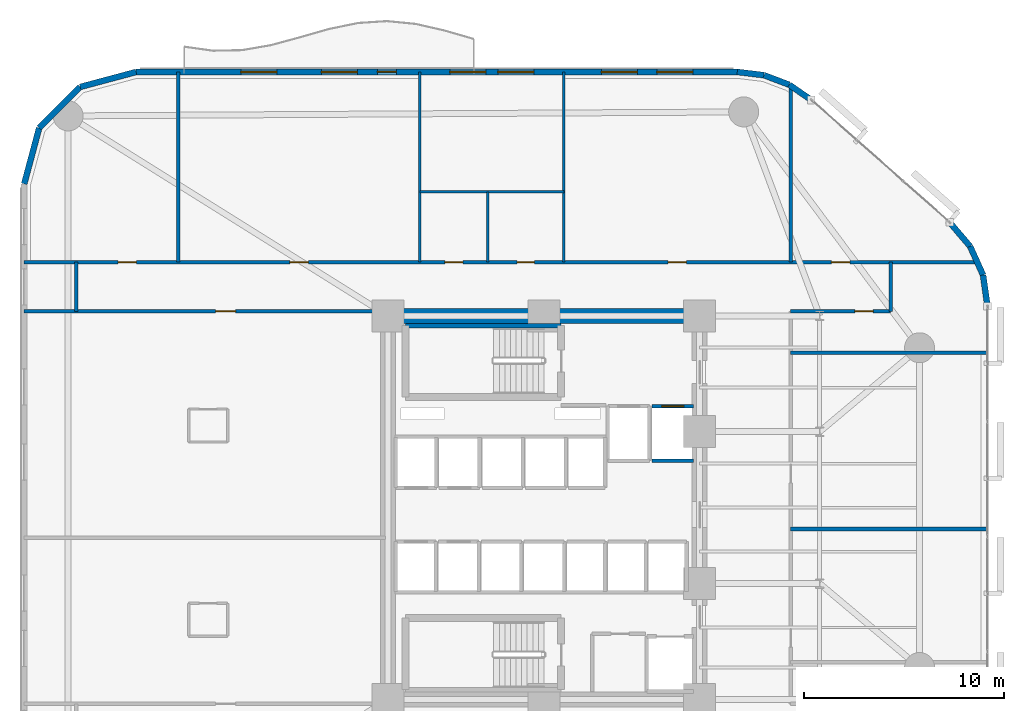
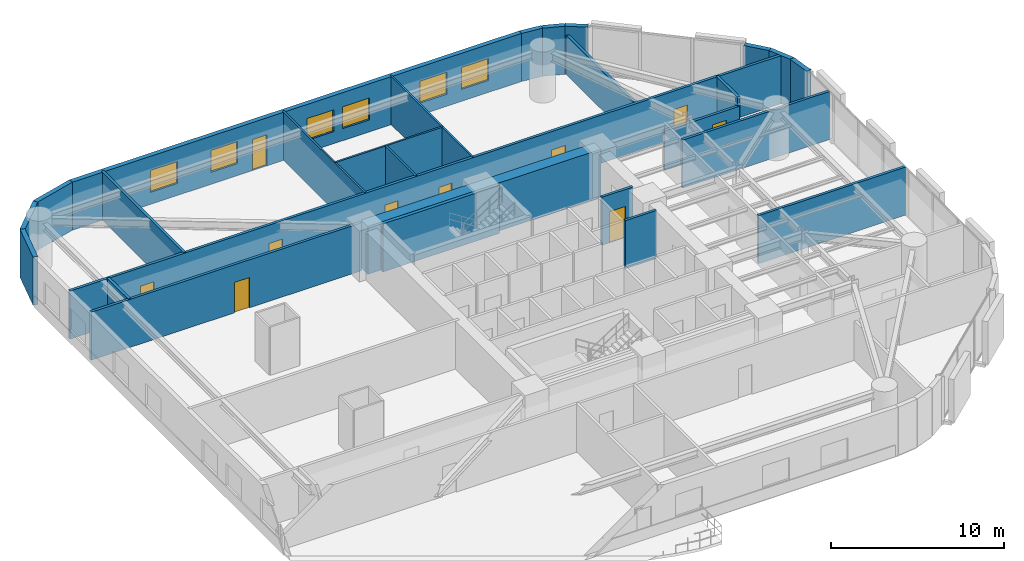
# One storey, part 12 of 16: 27 walls, 10 doors, 6 windows, 16 openings.
"""IFC4 building model written with IfcOpenShell, lengths in metres."""

from ifc_helpers import new_model, si_unit, direction, frame, frame_2d, origin, place, context, subcontext, project, spatial, rectangle, extrude, material, layer, layer_set, type_object, element, fill, save


model = new_model("IFC4")

# Units and contexts
model_context = context("Model", 3, precision=1e-05, world=origin(), true_north=direction((0.0, 1.0)))
body_context = subcontext(model_context, "Body", "Model", "MODEL_VIEW")
ifc_project = project(units=[si_unit("LENGTHUNIT", "METRE"), si_unit("AREAUNIT", "SQUARE_METRE"), si_unit("VOLUMEUNIT", "CUBIC_METRE"), si_unit("PLANEANGLEUNIT", "RADIAN"), si_unit("MASSUNIT", "GRAM", prefix="KILO")], contexts=[model_context])

# Site, building, storey
site_placement = place(None, origin())
site = spatial("IfcSite", under=ifc_project, at=site_placement, CompositionType="ELEMENT")
building_placement = place(site_placement, origin())
building = spatial("IfcBuilding", under=site, at=building_placement, Name="An Khanh Terracotta Commons", CompositionType="ELEMENT")
storey_placement = place(building_placement, frame((0.0, 0.0, 43.199951171875)))
storey = spatial("IfcBuildingStorey", under=building, at=storey_placement, Name="L11", CompositionType="ELEMENT", Elevation=43.199951171875)

# Wall
ifc_material_1 = material(Name="Concrete C70/85", Category="concrete")
ifc_layer_1 = layer(ifc_material_1, 0.75, Name="Concrete C70/85")
ifc_layer_set_1 = layer_set([ifc_layer_1], Name="Concrete C70/85")
wall_type_1 = type_object("IfcWallType", Name="WALL-CORE-750", PredefinedType="SHEAR", material=ifc_layer_set_1)
wall_1_placement = place(storey_placement, frame((21.60009765625, 33.60009765625, 0.0), z_axis=(0.0, 0.0, 1.0), x_axis=(1.0, 0.0, 0.0)))
element("IfcWall", 1, at=wall_1_placement, inside=storey, type_object=wall_type_1, Name="L11 Core Wall CWALL-L11-N", PredefinedType="SHEAR", context=body_context, shape_type="SweptSolid", body=[
    extrude(rectangle(XDim=15.599853515625, YDim=0.75, at=frame_2d((7.7998046875, 0.0))), origin(), (0.0, 0.0, 1.0), 3.400146484375),
])

# Wall, opening, door
ifc_material_2 = material(Name="Fire-Rated Gypsum Board on Steel Stud", Category="steel")
ifc_layer_2 = layer(ifc_material_2, 0.179931640625, Name="Fire-Rated Gypsum Board on Steel Stud")
ifc_layer_set_2 = layer_set([ifc_layer_2], Name="Fire-Rated Gypsum Board on Steel Stud")
wall_type_2 = type_object("IfcWallType", Name="WALL-CORR-180", PredefinedType="PARTITIONING", material=ifc_layer_set_2)
wall_2_placement = place(storey_placement, frame((34.820068359375, 29.080078125, 0.0), z_axis=(0.0, 0.0, 1.0), x_axis=(1.0, 0.0, 0.0)))
wall_2 = element("IfcWall", 2, at=wall_2_placement, inside=storey, type_object=wall_type_2, Name="L11 Core Wall LSH-L11-FFL-02-N", PredefinedType="PARTITIONING", context=body_context, shape_type="SweptSolid", body=[
    extrude(rectangle(XDim=2.079833984375, YDim=0.179931640625, at=frame_2d((1.0400390625, 0.0))), origin(), (0.0, 0.0, 1.0), 3.400146484375),
])
opening_1_placement = place(wall_2_placement, frame((0.489990234375, 0.0, 0.0)))
opening_1 = element("IfcOpeningElement", 3, at=opening_1_placement, cuts=wall_2, Name="Opening LD-FFL-02-L11", PredefinedType="OPENING", context=body_context, shape_type="SweptSolid", body=[
    extrude(rectangle(XDim=1.10009765625, YDim=2.199951171875, at=frame_2d((0.550048828125, 1.10009765625))), frame((0.0, 0.099853515625, 0.0), z_axis=(0.0, -1.0, 0.0), x_axis=(1.0, 0.0, 0.0)), (0.0, 0.0, 1.0), 0.199951171875),
])
ifc_material_3 = material(Name="Brushed Stainless Steel Fire Landing Door", Category="steel")
door_type_1 = type_object("IfcDoorType", Name="DOOR-LD-FFL-1100", OperationType="NOTDEFINED", PredefinedType="DOOR", material=ifc_material_3)
door_1_placement = place(opening_1_placement, origin())
door_1 = element("IfcDoor", 4, at=door_1_placement, inside=storey, type_object=door_type_1, Name="L11 Lift FFL-02 Sliding Landing Door", OperationType="DOUBLE_DOOR_SLIDING", OverallHeight=2.199951171875, OverallWidth=1.10009765625, PredefinedType="DOOR", context=body_context, shape_type="SweptSolid", body=[
    extrude(rectangle(XDim=1.10009765625, YDim=2.199951171875, at=frame_2d((0.550048828125, 1.10009765625))), frame((0.0, 0.02490234375, 0.0), z_axis=(0.0, -1.0, 0.0), x_axis=(1.0, 0.0, 0.0)), (0.0, 0.0, 1.0), 0.050048828125),
])
fill(opening_1, door_1)

# Walls
wall_3_placement = place(storey_placement, frame((36.89990234375, 26.35009765625, 0.0), z_axis=(0.0, 0.0, 1.0), x_axis=(-1.0, 0.0, 0.0)))
element("IfcWall", 5, at=wall_3_placement, inside=storey, type_object=wall_type_2, Name="L11 Core Wall LSH-L11-FFL-02-S", PredefinedType="PARTITIONING", context=body_context, shape_type="SweptSolid", body=[
    extrude(rectangle(XDim=2.079833984375, YDim=0.179931640625, at=frame_2d((1.0400390625, 0.0))), origin(), (0.0, 0.0, 1.0), 3.400146484375),
])
for number, where, z_axis, x_axis, name in (
    (6, (41.75, 22.931884765625, 0.0), (0.0, 0.0, 1.0), (1.0, 0.0, 0.0), "L11 Interior Partition IW-L11-E007"),
    (7, (41.75, 31.741943359375, 0.0), (0.0, 0.0, 1.0), (1.0, 0.0, 0.0), "L11 Interior Partition IW-L11-E008"),
):
    element("IfcWall", number, at=place(storey_placement, frame(where, z_axis=z_axis, x_axis=x_axis)), inside=storey, type_object=wall_type_2, Name=name, PredefinedType="PARTITIONING", context=body_context, shape_type="SweptSolid", body=[
        extrude(rectangle(XDim=9.85009765625, YDim=0.179931640625, at=frame_2d((4.925048828125, 0.0))), origin(), (0.0, 0.0, 1.0), 3.400146484375),
    ])

# Wall, opening, door
wall_4_placement = place(storey_placement, frame((3.39990234375, 33.820068359375, 0.0), z_axis=(0.0, 0.0, 1.0), x_axis=(1.0, 0.0, 0.0)))
wall_4 = element("IfcWall", 8, at=wall_4_placement, inside=storey, type_object=wall_type_2, Name="L11 Interior Partition IW-L11-E009", PredefinedType="PARTITIONING", context=body_context, shape_type="SweptSolid", body=[
    extrude(rectangle(XDim=18.080078125, YDim=0.179931640625, at=frame_2d((9.0400390625, 0.0))), origin(), (0.0, 0.0, 1.0), 3.400146484375),
])
opening_2_placement = place(wall_4_placement, frame((9.580078125, 0.0, 0.0)))
opening_2 = element("IfcOpeningElement", 9, at=opening_2_placement, cuts=wall_4, Name="Opening D-UN", PredefinedType="OPENING", context=body_context, shape_type="SweptSolid", body=[
    extrude(rectangle(XDim=1.0, YDim=2.14990234375, at=frame_2d((0.5, 1.074951171875))), frame((0.0, 0.099853515625, 0.0), z_axis=(0.0, -1.0, 0.0), x_axis=(1.0, 0.0, 0.0)), (0.0, 0.0, 1.0), 0.199951171875),
])
ifc_material_4 = material(Name="Solid-Core Hardwood Acoustic Fire Door", Category="wood")
door_type_2 = type_object("IfcDoorType", Name="DOOR-UNIT-1000", OperationType="NOTDEFINED", PredefinedType="DOOR", material=ifc_material_4)
door_2_placement = place(opening_2_placement, origin())
door_2 = element("IfcDoor", 10, at=door_2_placement, inside=storey, type_object=door_type_2, Name="L11 WW2 Kitchenette and Studio Apartment Door", OperationType="SINGLE_SWING_RIGHT", OverallHeight=2.14990234375, OverallWidth=1.0, PredefinedType="DOOR", context=body_context, shape_type="SweptSolid", body=[
    extrude(rectangle(XDim=1.0, YDim=2.14990234375, at=frame_2d((0.5, 1.074951171875))), frame((0.0, 0.02490234375, 0.0), z_axis=(0.0, -1.0, 0.0), x_axis=(1.0, 0.0, 0.0)), (0.0, 0.0, 1.0), 0.050048828125),
])
fill(opening_2, door_2)

wall_5_placement = place(storey_placement, frame((41.75, 33.820068359375, 0.0), z_axis=(0.0, 0.0, 1.0), x_axis=(1.0, 0.0, 0.0)))
wall_5 = element("IfcWall", 11, at=wall_5_placement, inside=storey, type_object=wall_type_2, Name="L11 Interior Partition IW-L11-E010", PredefinedType="PARTITIONING", context=body_context, shape_type="SweptSolid", body=[
    extrude(rectangle(XDim=5.0, YDim=0.179931640625, at=frame_2d((2.5, 0.0))), origin(), (0.0, 0.0, 1.0), 2.781982421875),
])
opening_3_placement = place(wall_5_placement, frame((3.208984375, 0.0, 0.0)))
opening_3 = element("IfcOpeningElement", 12, at=opening_3_placement, cuts=wall_5, Name="Opening D-RM", PredefinedType="OPENING", context=body_context, shape_type="SweptSolid", body=[
    extrude(rectangle(XDim=0.919921875, YDim=2.10009765625, at=frame_2d((0.4599609375, 1.050048828125))), frame((0.0, 0.099853515625, 0.0), z_axis=(0.0, -1.0, 0.0), x_axis=(1.0, 0.0, 0.0)), (0.0, 0.0, 1.0), 0.199951171875),
])
ifc_material_5 = material(Name="Engineered Hardwood Timber Leaf", Category="wood")
door_type_3 = type_object("IfcDoorType", Name="DOOR-INT-920", OperationType="NOTDEFINED", PredefinedType="DOOR", material=ifc_material_5)
door_3_placement = place(opening_3_placement, origin())
door_3 = element("IfcDoor", 13, at=door_3_placement, inside=storey, type_object=door_type_3, Name="L11 FAN4 Co-Living Private Bedroom Door", OperationType="SINGLE_SWING_LEFT", OverallHeight=2.10009765625, OverallWidth=0.919921875, PredefinedType="DOOR", context=body_context, shape_type="SweptSolid", body=[
    extrude(rectangle(XDim=0.919921875, YDim=2.10009765625, at=frame_2d((0.4599609375, 1.050048828125))), frame((0.0, 0.02490234375, 0.0), z_axis=(0.0, -1.0, 0.0), x_axis=(1.0, 0.0, 0.0)), (0.0, 0.0, 1.0), 0.050048828125),
])
fill(opening_3, door_3)

# Wall, openings, doors
wall_6_placement = place(storey_placement, frame((3.39990234375, 36.280029296875, 0.0), z_axis=(0.0, 0.0, 1.0), x_axis=(1.0, 0.0, 0.0)))
wall_6 = element("IfcWall", 14, at=wall_6_placement, inside=storey, type_object=wall_type_2, Name="L11 Interior Partition IW-L11-E011", PredefinedType="PARTITIONING", context=body_context, shape_type="SweptSolid", body=[
    extrude(rectangle(XDim=47.689208984375, YDim=0.179931640625, at=frame_2d((23.8447265625, 0.0))), origin(), (0.0, 0.0, 1.0), 3.400146484375),
])
opening_4_placement = place(wall_6_placement, frame((21.050048828125, 0.0, 0.0)))
opening_4 = element("IfcOpeningElement", 15, at=opening_4_placement, cuts=wall_6, Name="Opening D-WC", PredefinedType="OPENING", context=body_context, shape_type="SweptSolid", body=[
    extrude(rectangle(XDim=0.89990234375, YDim=2.10009765625, at=frame_2d((0.449951171875, 1.050048828125))), frame((0.0, 0.099853515625, 0.0), z_axis=(0.0, -1.0, 0.0), x_axis=(1.0, 0.0, 0.0)), (0.0, 0.0, 1.0), 0.199951171875),
])
opening_5_placement = place(wall_6_placement, frame((24.669921875, 0.0, 0.0)))
opening_5 = element("IfcOpeningElement", 16, at=opening_5_placement, cuts=wall_6, Name="Opening D-ENS", PredefinedType="OPENING", context=body_context, shape_type="SweptSolid", body=[
    extrude(rectangle(XDim=0.860107421875, YDim=2.10009765625, at=frame_2d((0.43017578125, 1.050048828125))), frame((0.0, 0.099853515625, 0.0), z_axis=(0.0, -1.0, 0.0), x_axis=(1.0, 0.0, 0.0)), (0.0, 0.0, 1.0), 0.199951171875),
])
opening_6_placement = place(wall_6_placement, frame((40.389892578125, 0.0, 0.0)))
opening_6 = element("IfcOpeningElement", 17, at=opening_6_placement, cuts=wall_6, Name="Opening D-RM", PredefinedType="OPENING", context=body_context, shape_type="SweptSolid", body=[
    extrude(rectangle(XDim=0.919921875, YDim=2.10009765625, at=frame_2d((0.4599609375, 1.050048828125))), frame((0.0, 0.099853515625, 0.0), z_axis=(0.0, -1.0, 0.0), x_axis=(1.0, 0.0, 0.0)), (0.0, 0.0, 1.0), 0.199951171875),
])
opening_7_placement = place(wall_6_placement, frame((4.698974609375, 0.0, 0.0)))
opening_7 = element("IfcOpeningElement", 18, at=opening_7_placement, cuts=wall_6, Name="Opening D-RM", PredefinedType="OPENING", context=body_context, shape_type="SweptSolid", body=[
    extrude(rectangle(XDim=0.919921875, YDim=2.10009765625, at=frame_2d((0.4599609375, 1.050048828125))), frame((0.0, 0.099853515625, 0.0), z_axis=(0.0, -1.0, 0.0), x_axis=(1.0, 0.0, 0.0)), (0.0, 0.0, 1.0), 0.199951171875),
])
opening_8_placement = place(wall_6_placement, frame((13.298095703125, 0.0, 0.0)))
opening_8 = element("IfcOpeningElement", 19, at=opening_8_placement, cuts=wall_6, Name="Opening D-RM", PredefinedType="OPENING", context=body_context, shape_type="SweptSolid", body=[
    extrude(rectangle(XDim=0.919921875, YDim=2.10009765625, at=frame_2d((0.4599609375, 1.050048828125))), frame((0.0, 0.099853515625, 0.0), z_axis=(0.0, -1.0, 0.0), x_axis=(1.0, 0.0, 0.0)), (0.0, 0.0, 1.0), 0.199951171875),
])
opening_9_placement = place(wall_6_placement, frame((32.215087890625, 0.0, 0.0)))
opening_9 = element("IfcOpeningElement", 20, at=opening_9_placement, cuts=wall_6, Name="Opening D-RM", PredefinedType="OPENING", context=body_context, shape_type="SweptSolid", body=[
    extrude(rectangle(XDim=0.919921875, YDim=2.10009765625, at=frame_2d((0.4599609375, 1.050048828125))), frame((0.0, 0.099853515625, 0.0), z_axis=(0.0, -1.0, 0.0), x_axis=(1.0, 0.0, 0.0)), (0.0, 0.0, 1.0), 0.199951171875),
])
ifc_material_6 = material(Name="Moisture-Resistant Hardwood Timber Leaf", Category="wood")
door_type_4 = type_object("IfcDoorType", Name="DOOR-BATH-860", OperationType="NOTDEFINED", PredefinedType="DOOR", material=ifc_material_6)
door_4_placement = place(opening_5_placement, origin())
door_4 = element("IfcDoor", 21, at=door_4_placement, inside=storey, type_object=door_type_4, Name="L11 SHW Resident Shared Shower and Washroom Door", OperationType="SINGLE_SWING_RIGHT", OverallHeight=2.10009765625, OverallWidth=0.860107421875, PredefinedType="DOOR", context=body_context, shape_type="SweptSolid", body=[
    extrude(rectangle(XDim=0.860107421875, YDim=2.10009765625, at=frame_2d((0.43017578125, 1.050048828125))), frame((0.0, 0.02490234375, 0.0), z_axis=(0.0, -1.0, 0.0), x_axis=(1.0, 0.0, 0.0)), (0.0, 0.0, 1.0), 0.050048828125),
])
fill(opening_5, door_4)
door_5_placement = place(opening_6_placement, origin())
door_5 = element("IfcDoor", 22, at=door_5_placement, inside=storey, type_object=door_type_3, Name="L11 FANN Quiet Focus Office Door", OperationType="SINGLE_SWING_RIGHT", OverallHeight=2.10009765625, OverallWidth=0.919921875, PredefinedType="DOOR", context=body_context, shape_type="SweptSolid", body=[
    extrude(rectangle(XDim=0.919921875, YDim=2.10009765625, at=frame_2d((0.4599609375, 1.050048828125))), frame((0.0, 0.02490234375, 0.0), z_axis=(0.0, -1.0, 0.0), x_axis=(1.0, 0.0, 0.0)), (0.0, 0.0, 1.0), 0.050048828125),
])
fill(opening_6, door_5)
door_6_placement = place(opening_7_placement, origin())
door_6 = element("IfcDoor", 23, at=door_6_placement, inside=storey, type_object=door_type_3, Name="L11 NW1 Collaborative Study Lounge Door", OperationType="SINGLE_SWING_RIGHT", OverallHeight=2.10009765625, OverallWidth=0.919921875, PredefinedType="DOOR", context=body_context, shape_type="SweptSolid", body=[
    extrude(rectangle(XDim=0.919921875, YDim=2.10009765625, at=frame_2d((0.4599609375, 1.050048828125))), frame((0.0, 0.02490234375, 0.0), z_axis=(0.0, -1.0, 0.0), x_axis=(1.0, 0.0, 0.0)), (0.0, 0.0, 1.0), 0.050048828125),
])
fill(opening_7, door_6)
door_7_placement = place(opening_8_placement, origin())
door_7 = element("IfcDoor", 24, at=door_7_placement, inside=storey, type_object=door_type_3, Name="L11 NW2 Collaborative Study Lounge Door", OperationType="SINGLE_SWING_LEFT", OverallHeight=2.10009765625, OverallWidth=0.919921875, PredefinedType="DOOR", context=body_context, shape_type="SweptSolid", body=[
    extrude(rectangle(XDim=0.919921875, YDim=2.10009765625, at=frame_2d((0.4599609375, 1.050048828125))), frame((0.0, 0.02490234375, 0.0), z_axis=(0.0, -1.0, 0.0), x_axis=(1.0, 0.0, 0.0)), (0.0, 0.0, 1.0), 0.050048828125),
])
fill(opening_8, door_7)
door_8_placement = place(opening_9_placement, origin())
door_8 = element("IfcDoor", 25, at=door_8_placement, inside=storey, type_object=door_type_3, Name="L11 NWE Collaborative Study Lounge Door", OperationType="SINGLE_SWING_RIGHT", OverallHeight=2.10009765625, OverallWidth=0.919921875, PredefinedType="DOOR", context=body_context, shape_type="SweptSolid", body=[
    extrude(rectangle(XDim=0.919921875, YDim=2.10009765625, at=frame_2d((0.4599609375, 1.050048828125))), frame((0.0, 0.02490234375, 0.0), z_axis=(0.0, -1.0, 0.0), x_axis=(1.0, 0.0, 0.0)), (0.0, 0.0, 1.0), 0.050048828125),
])
fill(opening_9, door_8)
ifc_material_7 = material(Name="Laminate Moisture-Resistant Timber Leaf", Category="wood")
door_type_5 = type_object("IfcDoorType", Name="DOOR-WC-900", OperationType="NOTDEFINED", PredefinedType="DOOR", material=ifc_material_7)
door_9_placement = place(opening_4_placement, origin())
door_9 = element("IfcDoor", 26, at=door_9_placement, inside=storey, type_object=door_type_5, Name="L11 AWC Accessible WC Door", OperationType="SINGLE_SWING_LEFT", OverallHeight=2.10009765625, OverallWidth=0.89990234375, PredefinedType="DOOR", context=body_context, shape_type="SweptSolid", body=[
    extrude(rectangle(XDim=0.89990234375, YDim=2.10009765625, at=frame_2d((0.449951171875, 1.050048828125))), frame((0.0, 0.02490234375, 0.0), z_axis=(0.0, -1.0, 0.0), x_axis=(1.0, 0.0, 0.0)), (0.0, 0.0, 1.0), 0.050048828125),
])
fill(opening_4, door_9)

# Walls
wall_7_placement = place(storey_placement, frame((6.0, 33.820068359375, 0.0), z_axis=(0.0, 0.0, 1.0), x_axis=(0.0, 1.0, 0.0)))
element("IfcWall", 27, at=wall_7_placement, inside=storey, type_object=wall_type_2, Name="L11 Interior Partition IW-L11-E014", PredefinedType="PARTITIONING", context=body_context, shape_type="SweptSolid", body=[
    extrude(rectangle(XDim=2.4599609375, YDim=0.179931640625, at=frame_2d((1.22998046875, 0.0))), origin(), (0.0, 0.0, 1.0), 3.400146484375),
])
wall_8_placement = place(storey_placement, frame((11.116943359375, 36.280029296875, 0.0), z_axis=(0.0, 0.0, 1.0), x_axis=(0.0, 1.0, 0.0)))
element("IfcWall", 28, at=wall_8_placement, inside=storey, type_object=wall_type_2, Name="L11 Interior Partition IW-L11-E015", PredefinedType="PARTITIONING", context=body_context, shape_type="SweptSolid", body=[
    extrude(rectangle(XDim=9.52001953125, YDim=0.179931640625, at=frame_2d((4.760009765625, 0.0))), origin(), (0.0, 0.0, 1.0), 3.400146484375),
])
wall_9_placement = place(storey_placement, frame((41.75, 36.280029296875, 0.0), z_axis=(0.0, 0.0, 1.0), x_axis=(0.0, 1.0, 0.0)))
element("IfcWall", 29, at=wall_9_placement, inside=storey, type_object=wall_type_2, Name="L11 Interior Partition IW-L11-E023", PredefinedType="PARTITIONING", context=body_context, shape_type="SweptSolid", body=[
    extrude(rectangle(XDim=8.8310546875, YDim=0.179931640625, at=frame_2d((4.41552734375, 0.0))), origin(), (0.0, 0.0, 1.0), 2.781982421875),
])
wall_10_placement = place(storey_placement, frame((46.75, 33.820068359375, 0.0), z_axis=(0.0, 0.0, 1.0), x_axis=(0.0, 1.0, 0.0)))
element("IfcWall", 30, at=wall_10_placement, inside=storey, type_object=wall_type_2, Name="L11 Interior Partition IW-L11-E025", PredefinedType="PARTITIONING", context=body_context, shape_type="SweptSolid", body=[
    extrude(rectangle(XDim=2.4599609375, YDim=0.179931640625, at=frame_2d((1.22998046875, 0.0))), origin(), (0.0, 0.0, 1.0), 3.400146484375),
])
ifc_material_8 = material(Name="Precast concrete C40/50", Category="concrete")
ifc_layer_3 = layer(ifc_material_8, 0.300048828125, Name="Precast concrete C40/50")
ifc_layer_set_3 = layer_set([ifc_layer_3], Name="Precast concrete C40/50")
wall_type_3 = type_object("IfcWallType", Name="WALL-EXT-300", PredefinedType="SOLIDWALL", material=ifc_layer_set_3)
wall_11_placement = place(storey_placement, frame((51.60009765625, 34.076904296875, 0.0), z_axis=(0.0, 0.0, 1.0), x_axis=(-0.140380048512, 0.990097693149, 0.0)))
element("IfcWall", 31, at=wall_11_placement, inside=storey, type_object=wall_type_3, Name="L11 Insulated Terracotta Exterior Wall 13", PredefinedType="SOLIDWALL", context=body_context, shape_type="SweptSolid", body=[
    extrude(rectangle(XDim=1.57568359375, YDim=0.300048828125, at=frame_2d((0.787841796875, 0.0))), origin(), (0.0, 0.0, 1.0), 3.400146484375),
])
wall_12_placement = place(storey_placement, frame((51.37890625, 35.636962890625, 0.0), z_axis=(0.0, 0.0, 1.0), x_axis=(-0.410996558744, 0.911636895206, 0.0)))
element("IfcWall", 32, at=wall_12_placement, inside=storey, type_object=wall_type_3, Name="L11 Insulated Terracotta Exterior Wall 14", PredefinedType="SOLIDWALL", context=body_context, shape_type="SweptSolid", body=[
    extrude(rectangle(XDim=1.57421875, YDim=0.300048828125, at=frame_2d((0.787109375, 0.0))), origin(), (0.0, 0.0, 1.0), 3.400146484375),
])
wall_13_placement = place(storey_placement, frame((50.73193359375, 37.072021484375, 0.0), z_axis=(0.0, 0.0, 1.0), x_axis=(-0.648389989909, 0.7613083613, 0.0)))
element("IfcWall", 33, at=wall_13_placement, inside=storey, type_object=wall_type_3, Name="L11 Insulated Terracotta Exterior Wall 15", PredefinedType="SOLIDWALL", context=body_context, shape_type="SweptSolid", body=[
    extrude(rectangle(XDim=1.576171875, YDim=0.300048828125, at=frame_2d((0.7880859375, 0.0))), origin(), (0.0, 0.0, 1.0), 3.400146484375),
])
wall_14_placement = place(storey_placement, frame((42.7890625, 44.39404296875, 0.0), z_axis=(0.0, 0.0, 1.0), x_axis=(-0.823116500192, 0.567872544777, 0.0)))
element("IfcWall", 34, at=wall_14_placement, inside=storey, type_object=wall_type_3, Name="L11 Insulated Terracotta Exterior Wall 17", PredefinedType="SOLIDWALL", context=body_context, shape_type="SweptSolid", body=[
    extrude(rectangle(XDim=1.3486328125, YDim=0.300048828125, at=frame_2d((0.67431640625, 0.0))), origin(), (0.0, 0.0, 1.0), 3.400146484375),
])
wall_15_placement = place(storey_placement, frame((41.678955078125, 45.159912109375, 0.0), z_axis=(0.0, 0.0, 1.0), x_axis=(-0.935156721165, 0.354234254216, 0.0)))
element("IfcWall", 35, at=wall_15_placement, inside=storey, type_object=wall_type_3, Name="L11 Insulated Terracotta Exterior Wall 18", PredefinedType="SOLIDWALL", context=body_context, shape_type="SweptSolid", body=[
    extrude(rectangle(XDim=1.349365234375, YDim=0.300048828125, at=frame_2d((0.6748046875, 0.0))), origin(), (0.0, 0.0, 1.0), 3.400146484375),
])
wall_16_placement = place(storey_placement, frame((40.4169921875, 45.637939453125, 0.0), z_axis=(0.0, 0.0, 1.0), x_axis=(-0.992739027259, 0.120288086515, 0.0)))
element("IfcWall", 36, at=wall_16_placement, inside=storey, type_object=wall_type_3, Name="L11 Insulated Terracotta Exterior Wall 19", PredefinedType="SOLIDWALL", context=body_context, shape_type="SweptSolid", body=[
    extrude(rectangle(XDim=1.34765625, YDim=0.300048828125, at=frame_2d((0.673828125, 0.0))), origin(), (0.0, 0.0, 1.0), 3.400146484375),
])

# Wall, openings, door, windows
wall_17_placement = place(storey_placement, frame((39.0791015625, 45.800048828125, 0.0), z_axis=(0.0, 0.0, 1.0), x_axis=(-1.0, 0.0, 0.0)))
wall_17 = element("IfcWall", 37, at=wall_17_placement, inside=storey, type_object=wall_type_3, Name="L11 Insulated Terracotta Exterior Wall 20", PredefinedType="SOLIDWALL", context=body_context, shape_type="SweptSolid", body=[
    extrude(rectangle(XDim=30.0791015625, YDim=0.300048828125, at=frame_2d((15.03955078125, 0.0))), origin(), (0.0, 0.0, 1.0), 3.400146484375),
])
opening_10_placement = place(wall_17_placement, frame((17.053955078125, 0.0, 0.0)))
opening_10 = element("IfcOpeningElement", 38, at=opening_10_placement, cuts=wall_17, Name="Opening D-BAL", PredefinedType="OPENING", context=body_context, shape_type="SweptSolid", body=[
    extrude(rectangle(XDim=0.949951171875, YDim=2.199951171875, at=frame_2d((0.47509765625, 1.10009765625))), frame((0.0, 0.159912109375, 0.0), z_axis=(0.0, -1.0, 0.0), x_axis=(1.0, 0.0, 0.0)), (0.0, 0.0, 1.0), 0.320068359375),
])
opening_11_placement = place(wall_17_placement, frame((2.22607421875, 0.0, 0.85009765625)))
opening_11 = element("IfcOpeningElement", 39, at=opening_11_placement, cuts=wall_17, Name="Opening W-01", PredefinedType="OPENING", context=body_context, shape_type="SweptSolid", body=[
    extrude(rectangle(XDim=1.800048828125, YDim=1.550048828125, at=frame_2d((0.89990234375, 0.77490234375))), frame((0.0, 0.159912109375, 0.0), z_axis=(0.0, -1.0, 0.0), x_axis=(1.0, 0.0, 0.0)), (0.0, 0.0, 1.0), 0.320068359375),
])
opening_12_placement = place(wall_17_placement, frame((5.0029296875, 0.0, 0.85009765625)))
opening_12 = element("IfcOpeningElement", 40, at=opening_12_placement, cuts=wall_17, Name="Opening W-01", PredefinedType="OPENING", context=body_context, shape_type="SweptSolid", body=[
    extrude(rectangle(XDim=1.800048828125, YDim=1.550048828125, at=frame_2d((0.89990234375, 0.77490234375))), frame((0.0, 0.159912109375, 0.0), z_axis=(0.0, -1.0, 0.0), x_axis=(1.0, 0.0, 0.0)), (0.0, 0.0, 1.0), 0.320068359375),
])
opening_13_placement = place(wall_17_placement, frame((10.178955078125, 0.0, 0.85009765625)))
opening_13 = element("IfcOpeningElement", 41, at=opening_13_placement, cuts=wall_17, Name="Opening W-01", PredefinedType="OPENING", context=body_context, shape_type="SweptSolid", body=[
    extrude(rectangle(XDim=1.800048828125, YDim=1.550048828125, at=frame_2d((0.89990234375, 0.77490234375))), frame((0.0, 0.159912109375, 0.0), z_axis=(0.0, -1.0, 0.0), x_axis=(1.0, 0.0, 0.0)), (0.0, 0.0, 1.0), 0.320068359375),
])
opening_14_placement = place(wall_17_placement, frame((12.5791015625, 0.0, 0.85009765625)))
opening_14 = element("IfcOpeningElement", 42, at=opening_14_placement, cuts=wall_17, Name="Opening W-01", PredefinedType="OPENING", context=body_context, shape_type="SweptSolid", body=[
    extrude(rectangle(XDim=1.800048828125, YDim=1.550048828125, at=frame_2d((0.89990234375, 0.77490234375))), frame((0.0, 0.159912109375, 0.0), z_axis=(0.0, -1.0, 0.0), x_axis=(1.0, 0.0, 0.0)), (0.0, 0.0, 1.0), 0.320068359375),
])
opening_15_placement = place(wall_17_placement, frame((19.007080078125, 0.0, 0.85009765625)))
opening_15 = element("IfcOpeningElement", 43, at=opening_15_placement, cuts=wall_17, Name="Opening W-01", PredefinedType="OPENING", context=body_context, shape_type="SweptSolid", body=[
    extrude(rectangle(XDim=1.800048828125, YDim=1.550048828125, at=frame_2d((0.89990234375, 0.77490234375))), frame((0.0, 0.159912109375, 0.0), z_axis=(0.0, -1.0, 0.0), x_axis=(1.0, 0.0, 0.0)), (0.0, 0.0, 1.0), 0.320068359375),
])
opening_16_placement = place(wall_17_placement, frame((23.033935546875, 0.0, 0.85009765625)))
opening_16 = element("IfcOpeningElement", 44, at=opening_16_placement, cuts=wall_17, Name="Opening W-01", PredefinedType="OPENING", context=body_context, shape_type="SweptSolid", body=[
    extrude(rectangle(XDim=1.800048828125, YDim=1.550048828125, at=frame_2d((0.89990234375, 0.77490234375))), frame((0.0, 0.159912109375, 0.0), z_axis=(0.0, -1.0, 0.0), x_axis=(1.0, 0.0, 0.0)), (0.0, 0.0, 1.0), 0.320068359375),
])
ifc_material_9 = material(Name="Thermally Broken Aluminium and Low-E Glass", Category="aluminium")
door_type_6 = type_object("IfcDoorType", Name="DOOR-BALC-950", OperationType="NOTDEFINED", PredefinedType="DOOR", material=ifc_material_9)
door_10_placement = place(opening_10_placement, origin())
door_10 = element("IfcDoor", 45, at=door_10_placement, inside=storey, type_object=door_type_6, Name="L11 N Wave Balcony Glazed Door", OperationType="SINGLE_SWING_RIGHT", OverallHeight=2.199951171875, OverallWidth=0.949951171875, PredefinedType="DOOR", context=body_context, shape_type="SweptSolid", body=[
    extrude(rectangle(XDim=0.949951171875, YDim=2.199951171875, at=frame_2d((0.47509765625, 1.10009765625))), frame((0.0, 0.02490234375, 0.0), z_axis=(0.0, -1.0, 0.0), x_axis=(1.0, 0.0, 0.0)), (0.0, 0.0, 1.0), 0.050048828125),
])
fill(opening_10, door_10)
window_type = type_object("IfcWindowType", Name="WIN-Z1-1800x1550", PartitioningType="DOUBLE_PANEL_VERTICAL", PredefinedType="WINDOW", material=ifc_material_9)
window_1_placement = place(opening_11_placement, origin())
window_1 = element("IfcWindow", 46, at=window_1_placement, inside=storey, type_object=window_type, Name="L11 Operable Casement Window 20.1", OverallHeight=1.550048828125, OverallWidth=1.800048828125, PartitioningType="DOUBLE_PANEL_VERTICAL", PredefinedType="WINDOW", context=body_context, shape_type="SweptSolid", body=[
    extrude(rectangle(XDim=1.800048828125, YDim=1.550048828125, at=frame_2d((0.89990234375, 0.77490234375))), frame((0.0, 0.030029296875, 0.0), z_axis=(0.0, -1.0, 0.0), x_axis=(1.0, 0.0, 0.0)), (0.0, 0.0, 1.0), 0.06005859375),
])
fill(opening_11, window_1)
window_2_placement = place(opening_12_placement, origin())
window_2 = element("IfcWindow", 47, at=window_2_placement, inside=storey, type_object=window_type, Name="L11 Operable Casement Window 20.2", OverallHeight=1.550048828125, OverallWidth=1.800048828125, PartitioningType="DOUBLE_PANEL_VERTICAL", PredefinedType="WINDOW", context=body_context, shape_type="SweptSolid", body=[
    extrude(rectangle(XDim=1.800048828125, YDim=1.550048828125, at=frame_2d((0.89990234375, 0.77490234375))), frame((0.0, 0.030029296875, 0.0), z_axis=(0.0, -1.0, 0.0), x_axis=(1.0, 0.0, 0.0)), (0.0, 0.0, 1.0), 0.06005859375),
])
fill(opening_12, window_2)
window_3_placement = place(opening_13_placement, origin())
window_3 = element("IfcWindow", 48, at=window_3_placement, inside=storey, type_object=window_type, Name="L11 Operable Casement Window 20.3", OverallHeight=1.550048828125, OverallWidth=1.800048828125, PartitioningType="DOUBLE_PANEL_VERTICAL", PredefinedType="WINDOW", context=body_context, shape_type="SweptSolid", body=[
    extrude(rectangle(XDim=1.800048828125, YDim=1.550048828125, at=frame_2d((0.89990234375, 0.77490234375))), frame((0.0, 0.030029296875, 0.0), z_axis=(0.0, -1.0, 0.0), x_axis=(1.0, 0.0, 0.0)), (0.0, 0.0, 1.0), 0.06005859375),
])
fill(opening_13, window_3)
window_4_placement = place(opening_14_placement, origin())
window_4 = element("IfcWindow", 49, at=window_4_placement, inside=storey, type_object=window_type, Name="L11 Operable Casement Window 20.4", OverallHeight=1.550048828125, OverallWidth=1.800048828125, PartitioningType="DOUBLE_PANEL_VERTICAL", PredefinedType="WINDOW", context=body_context, shape_type="SweptSolid", body=[
    extrude(rectangle(XDim=1.800048828125, YDim=1.550048828125, at=frame_2d((0.89990234375, 0.77490234375))), frame((0.0, 0.030029296875, 0.0), z_axis=(0.0, -1.0, 0.0), x_axis=(1.0, 0.0, 0.0)), (0.0, 0.0, 1.0), 0.06005859375),
])
fill(opening_14, window_4)
window_5_placement = place(opening_15_placement, origin())
window_5 = element("IfcWindow", 50, at=window_5_placement, inside=storey, type_object=window_type, Name="L11 Operable Casement Window 20.5", OverallHeight=1.550048828125, OverallWidth=1.800048828125, PartitioningType="DOUBLE_PANEL_VERTICAL", PredefinedType="WINDOW", context=body_context, shape_type="SweptSolid", body=[
    extrude(rectangle(XDim=1.800048828125, YDim=1.550048828125, at=frame_2d((0.89990234375, 0.77490234375))), frame((0.0, 0.030029296875, 0.0), z_axis=(0.0, -1.0, 0.0), x_axis=(1.0, 0.0, 0.0)), (0.0, 0.0, 1.0), 0.06005859375),
])
fill(opening_15, window_5)
window_6_placement = place(opening_16_placement, origin())
window_6 = element("IfcWindow", 51, at=window_6_placement, inside=storey, type_object=window_type, Name="L11 Operable Casement Window 20.6", OverallHeight=1.550048828125, OverallWidth=1.800048828125, PartitioningType="DOUBLE_PANEL_VERTICAL", PredefinedType="WINDOW", context=body_context, shape_type="SweptSolid", body=[
    extrude(rectangle(XDim=1.800048828125, YDim=1.550048828125, at=frame_2d((0.89990234375, 0.77490234375))), frame((0.0, 0.030029296875, 0.0), z_axis=(0.0, -1.0, 0.0), x_axis=(1.0, 0.0, 0.0)), (0.0, 0.0, 1.0), 0.06005859375),
])
fill(opening_16, window_6)

# Walls
wall_18_placement = place(storey_placement, frame((9.0, 45.800048828125, 0.0), z_axis=(0.0, 0.0, 1.0), x_axis=(-0.96594917914, -0.258731875344, 0.0)))
element("IfcWall", 52, at=wall_18_placement, inside=storey, type_object=wall_type_3, Name="L11 Insulated Terracotta Exterior Wall 21", PredefinedType="SOLIDWALL", context=body_context, shape_type="SweptSolid", body=[
    extrude(rectangle(XDim=2.898681640625, YDim=0.300048828125, at=frame_2d((1.44921875, 0.0))), origin(), (0.0, 0.0, 1.0), 3.400146484375),
])
wall_19_placement = place(storey_placement, frame((6.199951171875, 45.050048828125, 0.0), z_axis=(0.0, 0.0, 1.0), x_axis=(-0.707106781187, -0.707106781187, 0.0)))
element("IfcWall", 53, at=wall_19_placement, inside=storey, type_object=wall_type_3, Name="L11 Insulated Terracotta Exterior Wall 22", PredefinedType="SOLIDWALL", context=body_context, shape_type="SweptSolid", body=[
    extrude(rectangle(XDim=2.899169921875, YDim=0.300048828125, at=frame_2d((1.44970703125, 0.0))), origin(), (0.0, 0.0, 1.0), 3.400146484375),
])
wall_20_placement = place(storey_placement, frame((4.14990234375, 43.0, 0.0), z_axis=(0.0, 0.0, 1.0), x_axis=(-0.258731875344, -0.96594917914, 0.0)))
element("IfcWall", 54, at=wall_20_placement, inside=storey, type_object=wall_type_3, Name="L11 Insulated Terracotta Exterior Wall 23", PredefinedType="SOLIDWALL", context=body_context, shape_type="SweptSolid", body=[
    extrude(rectangle(XDim=2.898681640625, YDim=0.300048828125, at=frame_2d((1.44921875, 0.0))), origin(), (0.0, 0.0, 1.0), 3.400146484375),
])
ifc_material_10 = material(Name="Acoustic Double-Stud Gypsum and Mineral Wool")
ifc_layer_4 = layer(ifc_material_10, 0.219970703125, Name="Acoustic Double-Stud Gypsum and Mineral Wool")
ifc_layer_set_4 = layer_set([ifc_layer_4], Name="Acoustic Double-Stud Gypsum and Mineral Wool")
wall_type_4 = type_object("IfcWallType", Name="WALL-PARTY-220", PredefinedType="PARTITIONING", material=ifc_layer_set_4)
wall_21_placement = place(storey_placement, frame((22.47998046875, 33.110107421875, 0.0), z_axis=(0.0, 0.0, 1.0), x_axis=(1.0, 0.0, 0.0)))
element("IfcWall", 55, at=wall_21_placement, inside=storey, type_object=wall_type_4, Name="L11 Core Wall STW-L11-N-N", PredefinedType="PARTITIONING", context=body_context, shape_type="SweptSolid", body=[
    extrude(rectangle(XDim=7.7900390625, YDim=0.219970703125, at=frame_2d((3.89501953125, 0.0))), origin(), (0.0, 0.0, 1.0), 3.400146484375),
])
ifc_material_11 = material(Name="Moisture-Resistant Cement Board Partition")
ifc_layer_5 = layer(ifc_material_11, 0.1201171875, Name="Moisture-Resistant Cement Board Partition")
ifc_layer_set_5 = layer_set([ifc_layer_5], Name="Moisture-Resistant Cement Board Partition")
wall_type_5 = type_object("IfcWallType", Name="WALL-WET-120", PredefinedType="PARTITIONING", material=ifc_layer_set_5)
wall_22_placement = place(storey_placement, frame((23.199951171875, 39.800048828125, 0.0), z_axis=(0.0, 0.0, 1.0), x_axis=(1.0, 0.0, 0.0)))
element("IfcWall", 56, at=wall_22_placement, inside=storey, type_object=wall_type_5, Name="L11 Interior Partition IW-L11-E012", PredefinedType="PARTITIONING", context=body_context, shape_type="SweptSolid", body=[
    extrude(rectangle(XDim=7.199951171875, YDim=0.1201171875, at=frame_2d((3.60009765625, 0.0))), origin(), (0.0, 0.0, 1.0), 3.400146484375),
])
wall_23_placement = place(storey_placement, frame((23.199951171875, 36.280029296875, 0.0), z_axis=(0.0, 0.0, 1.0), x_axis=(0.0, 1.0, 0.0)))
element("IfcWall", 57, at=wall_23_placement, inside=storey, type_object=wall_type_5, Name="L11 Interior Partition IW-L11-E017", PredefinedType="PARTITIONING", context=body_context, shape_type="SweptSolid", body=[
    extrude(rectangle(XDim=9.52001953125, YDim=0.1201171875, at=frame_2d((4.760009765625, 0.0))), origin(), (0.0, 0.0, 1.0), 3.400146484375),
])
wall_24_placement = place(storey_placement, frame((26.60009765625, 36.280029296875, 0.0), z_axis=(0.0, 0.0, 1.0), x_axis=(0.0, 1.0, 0.0)))
element("IfcWall", 58, at=wall_24_placement, inside=storey, type_object=wall_type_5, Name="L11 Interior Partition IW-L11-E018", PredefinedType="PARTITIONING", context=body_context, shape_type="SweptSolid", body=[
    extrude(rectangle(XDim=3.52001953125, YDim=0.1201171875, at=frame_2d((1.760009765625, 0.0))), origin(), (0.0, 0.0, 1.0), 3.400146484375),
])
wall_25_placement = place(storey_placement, frame((30.39990234375, 36.280029296875, 0.0), z_axis=(0.0, 0.0, 1.0), x_axis=(0.0, 1.0, 0.0)))
element("IfcWall", 59, at=wall_25_placement, inside=storey, type_object=wall_type_5, Name="L11 Interior Partition IW-L11-E020", PredefinedType="PARTITIONING", context=body_context, shape_type="SweptSolid", body=[
    extrude(rectangle(XDim=9.52001953125, YDim=0.1201171875, at=frame_2d((4.760009765625, 0.0))), origin(), (0.0, 0.0, 1.0), 3.400146484375),
])

save(model, "model.ifc")
